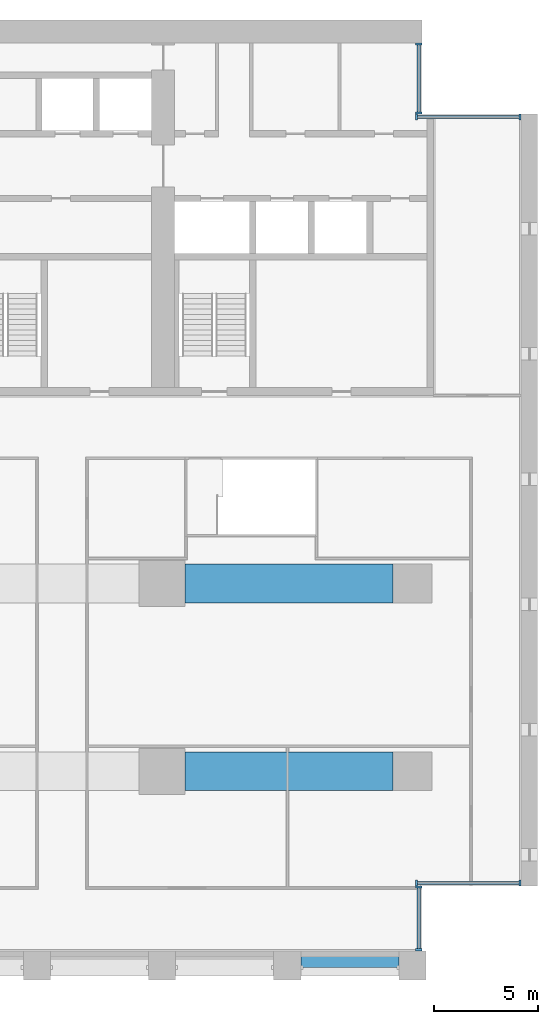
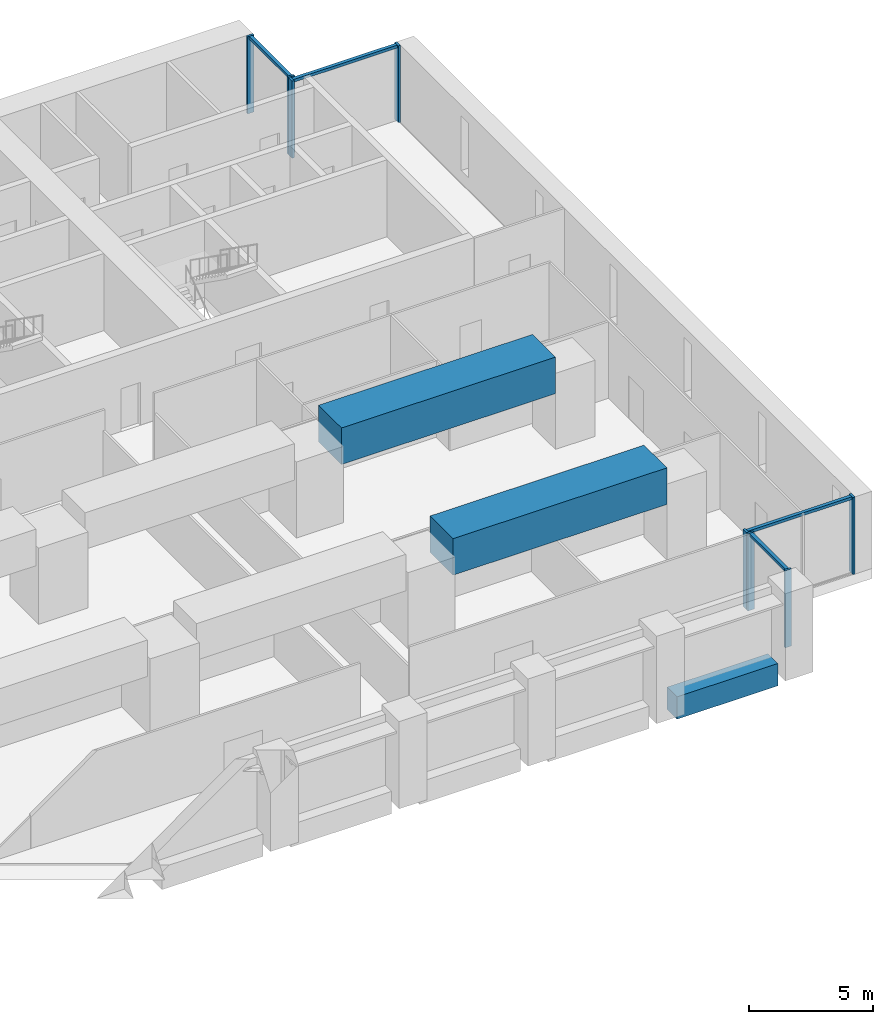
# One storey, part 5 of 17: 12 members, 3 beams, 4 elements without a shape of their own.
"""IFC4 building model written with IfcOpenShell, lengths in metres."""

from ifc_helpers import new_model, si_unit, direction, frame, origin, origin_2d, place, context, subcontext, project, spatial, rectangle, extrude, material, material_profile, profile_set, type_object, element, aggregate, save


model = new_model("IFC4")

# Units and contexts
model_context = context("Model", 3, precision=1e-05, world=origin(), true_north=direction((0.0, 1.0)))
body_context = subcontext(model_context, "Body", "Model", "MODEL_VIEW")
ifc_project = project(units=[si_unit("LENGTHUNIT", "METRE"), si_unit("AREAUNIT", "SQUARE_METRE"), si_unit("VOLUMEUNIT", "CUBIC_METRE"), si_unit("PLANEANGLEUNIT", "RADIAN"), si_unit("MASSUNIT", "GRAM", prefix="KILO")], contexts=[model_context])

# Site, building, storey
site_placement = place(None, origin())
site = spatial("IfcSite", under=ifc_project, at=site_placement, CompositionType="ELEMENT")
building_placement = place(site_placement, origin())
building = spatial("IfcBuilding", under=site, at=building_placement, Name="Calvaro Tower", CompositionType="ELEMENT")
storey_placement = place(building_placement, frame((0.0, 0.0, 17.89990234375)))
storey = spatial("IfcBuildingStorey", under=building, at=storey_placement, Name="L03", CompositionType="ELEMENT", Elevation=17.89990234375)

# Curtain wall, members
ifc_material_1 = material(Name="Anodised aluminium", Category="aluminium")
curtain_wall_type = type_object("IfcCurtainWallType", Name="Foyer curtain wall", PredefinedType="NOTDEFINED", material=ifc_material_1)
curtain_wall_1_placement = place(storey_placement, origin())
curtain_wall_1 = element("IfcCurtainWall", 1, at=curtain_wall_1_placement, inside=storey, type_object=curtain_wall_type, Name="CW6 corner curtain wall", PredefinedType="NOTDEFINED")
ifc_material_2 = material(Name="Anodised aluminium", Category="aluminium")
ifc_material_profile_1 = material_profile(ifc_material_2, rectangle(XDim=0.300048828125, YDim=0.10009765625, at=origin_2d()), Name="Mullion PF 100 x 300")
ifc_profile_set_1 = profile_set([ifc_material_profile_1], Name="Anodised aluminium")
member_type_1 = type_object("IfcMemberType", Name="Mullion PF 100 x 300", PredefinedType="MULLION", material=ifc_profile_set_1)
member_1_placement = place(storey_placement, frame((72.300048828125, 1.449951171875, 0.0), z_axis=(0.0, 0.0, 1.0), x_axis=(-1.0, 0.0, 0.0)))
member_1 = element("IfcMember", 2, at=member_1_placement, type_object=member_type_1, Name="CW6 mullion 1", PredefinedType="MULLION", context=body_context, shape_type="SweptSolid", body=[
    extrude(rectangle(XDim=0.300048828125, YDim=0.10009765625, at=origin_2d()), origin(), (0.0, 0.0, 1.0), 3.800048828125),
])
member_2_placement = place(storey_placement, frame((72.300048828125, 4.449951171875, 0.0), z_axis=(0.0, 0.0, 1.0), x_axis=(-1.0, 0.0, 0.0)))
member_2 = element("IfcMember", 3, at=member_2_placement, type_object=member_type_1, Name="CW6 mullion 2", PredefinedType="MULLION", context=body_context, shape_type="SweptSolid", body=[
    extrude(rectangle(XDim=0.300048828125, YDim=0.10009765625, at=origin_2d()), origin(), (0.0, 0.0, 1.0), 3.800048828125),
])

curtain_wall_2_placement = place(storey_placement, origin())
curtain_wall_2 = element("IfcCurtainWall", 4, at=curtain_wall_2_placement, inside=storey, type_object=curtain_wall_type, Name="CW6 corner curtain wall", PredefinedType="NOTDEFINED")
member_3_placement = place(storey_placement, frame((72.199951171875, 4.64990234375, 0.0), z_axis=(0.0, 0.0, 1.0), x_axis=(0.0, 1.0, 0.0)))
member_3 = element("IfcMember", 5, at=member_3_placement, type_object=member_type_1, Name="CW6 mullion 1", PredefinedType="MULLION", context=body_context, shape_type="SweptSolid", body=[
    extrude(rectangle(XDim=0.300048828125, YDim=0.10009765625, at=origin_2d()), origin(), (0.0, 0.0, 1.0), 3.800048828125),
])
member_4_placement = place(storey_placement, frame((77.14990234375, 4.64990234375, 0.0), z_axis=(0.0, 0.0, 1.0), x_axis=(0.0, 1.0, 0.0)))
member_4 = element("IfcMember", 6, at=member_4_placement, type_object=member_type_1, Name="CW6 mullion 2", PredefinedType="MULLION", context=body_context, shape_type="SweptSolid", body=[
    extrude(rectangle(XDim=0.300048828125, YDim=0.10009765625, at=origin_2d()), origin(), (0.0, 0.0, 1.0), 3.800048828125),
])

curtain_wall_3_placement = place(storey_placement, origin())
curtain_wall_3 = element("IfcCurtainWall", 7, at=curtain_wall_3_placement, inside=storey, type_object=curtain_wall_type, Name="CW6 corner curtain wall", PredefinedType="NOTDEFINED")
member_5_placement = place(storey_placement, frame((72.300048828125, 41.550048828125, 0.0), z_axis=(0.0, 0.0, 1.0), x_axis=(-1.0, 0.0, 0.0)))
member_5 = element("IfcMember", 8, at=member_5_placement, type_object=member_type_1, Name="CW6 mullion 1", PredefinedType="MULLION", context=body_context, shape_type="SweptSolid", body=[
    extrude(rectangle(XDim=0.300048828125, YDim=0.10009765625, at=origin_2d()), origin(), (0.0, 0.0, 1.0), 3.800048828125),
])
member_6_placement = place(storey_placement, frame((72.300048828125, 44.85009765625, 0.0), z_axis=(0.0, 0.0, 1.0), x_axis=(-1.0, 0.0, 0.0)))
member_6 = element("IfcMember", 9, at=member_6_placement, type_object=member_type_1, Name="CW6 mullion 2", PredefinedType="MULLION", context=body_context, shape_type="SweptSolid", body=[
    extrude(rectangle(XDim=0.300048828125, YDim=0.10009765625, at=origin_2d()), origin(), (0.0, 0.0, 1.0), 3.800048828125),
])

curtain_wall_4_placement = place(storey_placement, origin())
curtain_wall_4 = element("IfcCurtainWall", 10, at=curtain_wall_4_placement, inside=storey, type_object=curtain_wall_type, Name="CW6 corner curtain wall", PredefinedType="NOTDEFINED")
member_7_placement = place(storey_placement, frame((72.199951171875, 41.35009765625, 0.0), z_axis=(0.0, 0.0, 1.0), x_axis=(0.0, 1.0, 0.0)))
member_7 = element("IfcMember", 11, at=member_7_placement, type_object=member_type_1, Name="CW6 mullion 1", PredefinedType="MULLION", context=body_context, shape_type="SweptSolid", body=[
    extrude(rectangle(XDim=0.300048828125, YDim=0.10009765625, at=origin_2d()), origin(), (0.0, 0.0, 1.0), 3.800048828125),
])
member_8_placement = place(storey_placement, frame((77.14990234375, 41.35009765625, 0.0), z_axis=(0.0, 0.0, 1.0), x_axis=(0.0, 1.0, 0.0)))
member_8 = element("IfcMember", 12, at=member_8_placement, type_object=member_type_1, Name="CW6 mullion 2", PredefinedType="MULLION", context=body_context, shape_type="SweptSolid", body=[
    extrude(rectangle(XDim=0.300048828125, YDim=0.10009765625, at=origin_2d()), origin(), (0.0, 0.0, 1.0), 3.800048828125),
])

# Beams
ifc_material_3 = material(Name="Concrete C50/60 precast", Category="concrete")
ifc_material_profile_2 = material_profile(ifc_material_3, rectangle(XDim=0.800048828125, YDim=1.10009765625, at=origin_2d()), Name="RC 800x1100")
ifc_profile_set_2 = profile_set([ifc_material_profile_2], Name="Concrete C50/60 precast")
beam_type_1 = type_object("IfcBeamType", Name="Spandrel beam 800x1100 C50/60", PredefinedType="SPANDREL", material=ifc_profile_set_2)
beam_placement = place(storey_placement, frame((66.64990234375, 1.0, -0.5498046875), z_axis=(1.0, 0.0, 0.0), x_axis=(0.0, 1.0, 0.0)))
element("IfcBeam", 13, at=beam_placement, inside=storey, type_object=beam_type_1, Name="Spandrel beam", PredefinedType="SPANDREL", context=body_context, shape_type="SweptSolid", body=[
    extrude(rectangle(XDim=0.800048828125, YDim=1.10009765625, at=origin_2d()), origin(), (0.0, 0.0, 1.0), 4.7001953125),
])
ifc_material_4 = material(Name="Concrete C80/95", Category="concrete")
ifc_material_profile_3 = material_profile(ifc_material_4, rectangle(XDim=1.85009765625, YDim=1.800048828125, at=origin_2d()), Name="RC 1850x1800")
ifc_profile_set_3 = profile_set([ifc_material_profile_3], Name="Concrete C80/95")
beam_type_2 = type_object("IfcBeamType", Name="Transfer girder 1850x1800 C80/95", PredefinedType="BEAM", material=ifc_profile_set_3)
for number, where, z_axis, x_axis, name in (
    (14, (61.10009765625, 10.0, 3.7001953125), (1.0, 0.0, 0.0), (0.0, 1.0, 0.0), "Transfer girder"),
    (15, (61.10009765625, 19.0, 3.7001953125), (1.0, 0.0, 0.0), (0.0, 1.0, 0.0), "Transfer girder"),
):
    element("IfcBeam", number, at=place(storey_placement, frame(where, z_axis=z_axis, x_axis=x_axis)), inside=storey, type_object=beam_type_2, Name=name, PredefinedType="BEAM", context=body_context, shape_type="SweptSolid", body=[
        extrude(rectangle(XDim=1.85009765625, YDim=1.800048828125, at=origin_2d()), origin(), (0.0, 0.0, 1.0), 9.974853515625),
    ])

# Member
ifc_material_5 = material(Name="Anodised aluminium", Category="aluminium")
ifc_material_profile_4 = material_profile(ifc_material_5, rectangle(XDim=0.159912109375, YDim=0.139892578125, at=origin_2d()), Name="Transom PF 140 x 160")
ifc_profile_set_4 = profile_set([ifc_material_profile_4], Name="Anodised aluminium")
member_type_2 = type_object("IfcMemberType", Name="Transom PF 140 x 160", PredefinedType="USERDEFINED", material=ifc_profile_set_4)
member_9_placement = place(storey_placement, frame((72.300048828125, 1.5, 3.72998046875), z_axis=(0.0, 1.0, 0.0), x_axis=(-1.0, 0.0, 0.0)))
member_9 = element("IfcMember", 16, at=member_9_placement, type_object=member_type_2, Name="CW6 transom 1.1", ObjectType="TRANSOM", PredefinedType="USERDEFINED", context=body_context, shape_type="SweptSolid", body=[
    extrude(rectangle(XDim=0.159912109375, YDim=0.139892578125, at=origin_2d()), origin(), (0.0, 0.0, 1.0), 2.89990234375),
])

aggregate(curtain_wall_1, [member_1, member_2, member_9])

member_10_placement = place(storey_placement, frame((72.25, 4.64990234375, 3.72998046875), z_axis=(1.0, 0.0, 0.0), x_axis=(0.0, 1.0, 0.0)))
member_10 = element("IfcMember", 17, at=member_10_placement, type_object=member_type_2, Name="CW6 transom 1.1", ObjectType="TRANSOM", PredefinedType="USERDEFINED", context=body_context, shape_type="SweptSolid", body=[
    extrude(rectangle(XDim=0.159912109375, YDim=0.139892578125, at=origin_2d()), origin(), (0.0, 0.0, 1.0), 4.85009765625),
])

aggregate(curtain_wall_2, [member_3, member_4, member_10])

member_11_placement = place(storey_placement, frame((72.300048828125, 41.60009765625, 3.72998046875), z_axis=(0.0, 1.0, 0.0), x_axis=(-1.0, 0.0, 0.0)))
member_11 = element("IfcMember", 18, at=member_11_placement, type_object=member_type_2, Name="CW6 transom 1.1", ObjectType="TRANSOM", PredefinedType="USERDEFINED", context=body_context, shape_type="SweptSolid", body=[
    extrude(rectangle(XDim=0.159912109375, YDim=0.139892578125, at=origin_2d()), origin(), (0.0, 0.0, 1.0), 3.199951171875),
])

aggregate(curtain_wall_3, [member_5, member_6, member_11])

member_12_placement = place(storey_placement, frame((72.25, 41.35009765625, 3.72998046875), z_axis=(1.0, 0.0, 0.0), x_axis=(0.0, 1.0, 0.0)))
member_12 = element("IfcMember", 19, at=member_12_placement, type_object=member_type_2, Name="CW6 transom 1.1", ObjectType="TRANSOM", PredefinedType="USERDEFINED", context=body_context, shape_type="SweptSolid", body=[
    extrude(rectangle(XDim=0.159912109375, YDim=0.139892578125, at=origin_2d()), origin(), (0.0, 0.0, 1.0), 4.85009765625),
])

aggregate(curtain_wall_4, [member_7, member_8, member_12])

save(model, "model.ifc")
